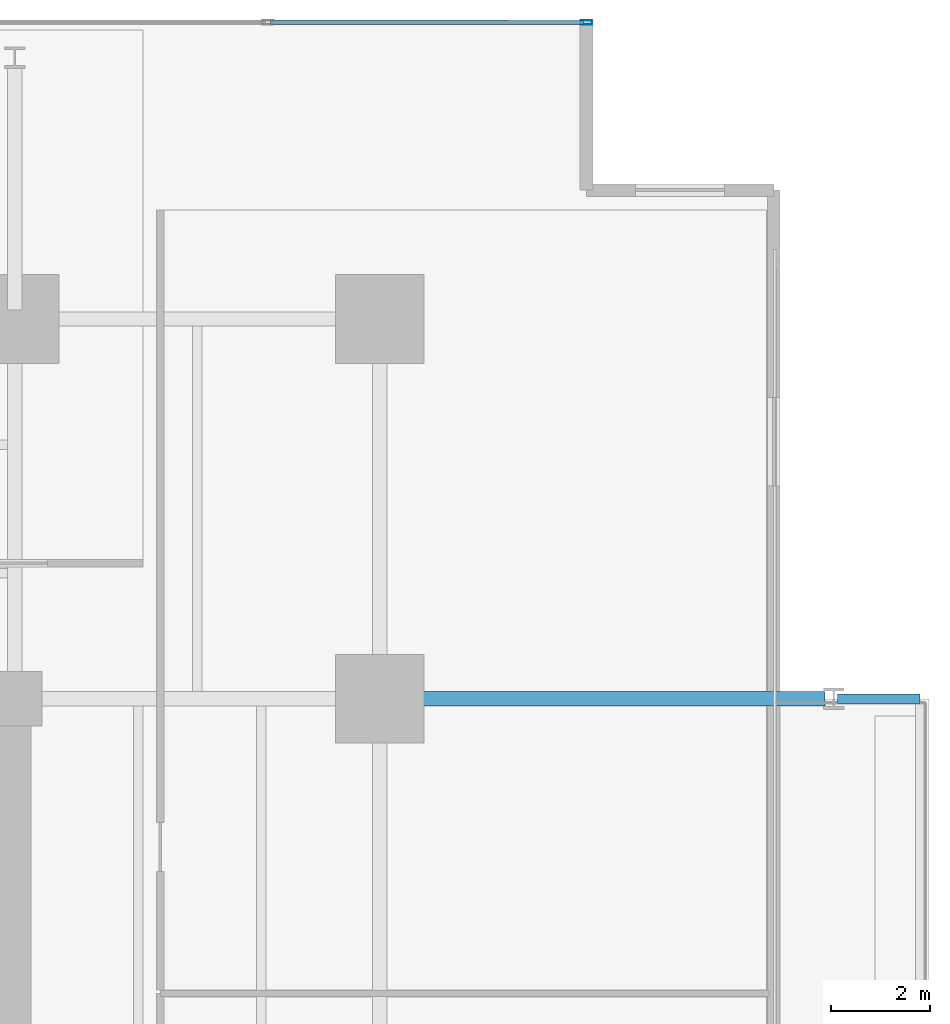
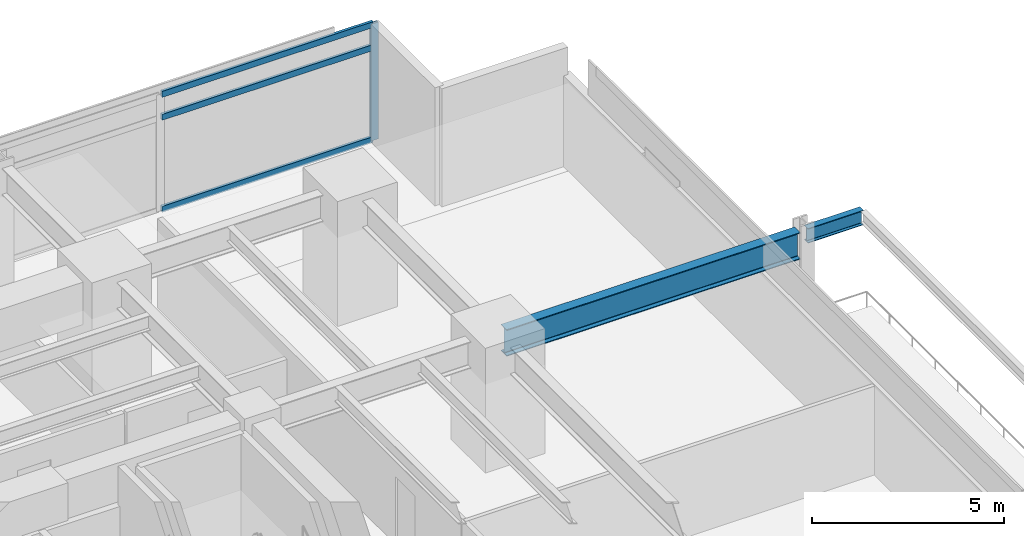
# One storey, part 14 of 24: 4 members, 2 beams, 1 element without a shape of its own.
"""IFC4 building model written with IfcOpenShell, lengths in metres."""

from ifc_helpers import new_model, si_unit, direction, frame, origin, origin_2d, place, context, subcontext, project, spatial, hollow_rectangle, i_section, extrude, material, material_profile, profile_set, type_object, element, aggregate, save


model = new_model("IFC4")

# Units and contexts
model_context = context("Model", 3, precision=1e-05, world=origin(), true_north=direction((0.0, 1.0)))
body_context = subcontext(model_context, "Body", "Model", "MODEL_VIEW")
ifc_project = project(units=[si_unit("LENGTHUNIT", "METRE"), si_unit("AREAUNIT", "SQUARE_METRE"), si_unit("VOLUMEUNIT", "CUBIC_METRE"), si_unit("PLANEANGLEUNIT", "RADIAN"), si_unit("MASSUNIT", "GRAM", prefix="KILO")], contexts=[model_context])

# Site, building, storey
site_placement = place(None, origin())
site = spatial("IfcSite", under=ifc_project, at=site_placement, CompositionType="ELEMENT")
building_placement = place(site_placement, origin())
building = spatial("IfcBuilding", under=site, at=building_placement, Name="Kovane Verandah Tower", CompositionType="ELEMENT")
storey_placement = place(building_placement, frame((0.0, 0.0, 95.60009765625)))
storey = spatial("IfcBuildingStorey", under=building, at=storey_placement, Name="L22", CompositionType="ELEMENT", Elevation=95.60009765625)

# Beam
ifc_material_1 = material(Name="Steel S355", Category="steel")
ifc_material_profile_1 = material_profile(ifc_material_1, i_section(OverallWidth=0.293701171875, OverallDepth=0.850830078125, WebThickness=0.01611328125, FlangeThickness=0.02685546875, FilletRadius=0.017822265625, at=origin_2d()), Name="UB838x292x226")
ifc_profile_set_1 = profile_set([ifc_material_profile_1], Name="Steel S355")
beam_type_1 = type_object("IfcBeamType", Name="BM-UB838x226", PredefinedType="BEAM", material=ifc_profile_set_1)
beam_1_placement = place(storey_placement, frame((58.580078125, 36.5, 3.33447265625), z_axis=(1.0, 0.0, 0.0), x_axis=(0.0, 1.0, 0.0)))
element("IfcBeam", 1, at=beam_1_placement, inside=storey, type_object=beam_type_1, Name="L22 Primary Tower Girder G-VE2", PredefinedType="BEAM", context=body_context, shape_type="SweptSolid", body=[
    extrude(i_section(OverallWidth=0.293701171875, OverallDepth=0.850830078125, WebThickness=0.01611328125, FlangeThickness=0.02685546875, FilletRadius=0.017822265625, at=origin_2d()), origin(), (0.0, 0.0, 1.0), 8.83984375),
])

# Curtain wall, members
ifc_material_2 = material(Name="Champagne Anodised Aluminium Frame with Low-E Clear Laminated Glass", Category="aluminium")
curtain_wall_type = type_object("IfcCurtainWallType", Name="CW-SYS-02-LOW", PredefinedType="NOTDEFINED", material=ifc_material_2)
curtain_wall_placement = place(storey_placement, origin())
curtain_wall = element("IfcCurtainWall", 2, at=curtain_wall_placement, inside=storey, type_object=curtain_wall_type, Name="L22 N Unitised Curtain Wall", PredefinedType="NOTDEFINED")
ifc_material_3 = material(Name="Champagne Anodised Aluminium 6063-T6", Category="aluminium")
ifc_material_profile_2 = material_profile(ifc_material_3, hollow_rectangle(XDim=0.0849609375, YDim=0.22998046875, WallThickness=0.00390625, at=origin_2d()), Name="AL85x230x4")
ifc_profile_set_2 = profile_set([ifc_material_profile_2], Name="Champagne Anodised Aluminium 6063-T6")
member_type_1 = type_object("IfcMemberType", Name="CW-MUL-85x230", PredefinedType="MULLION", material=ifc_profile_set_2)
member_1_placement = place(storey_placement, frame((62.5869140625, 50.2109375, 0.02001953125), z_axis=(0.0, 0.0, 1.0), x_axis=(0.0, 1.0, 0.0)))
member_1 = element("IfcMember", 3, at=member_1_placement, type_object=member_type_1, Name="L22 N Unitised Curtain Wall Mullion 1", PredefinedType="MULLION", context=body_context, shape_type="SweptSolid", body=[
    extrude(hollow_rectangle(XDim=0.0849609375, YDim=0.22998046875, WallThickness=0.00390625, at=origin_2d()), origin(), (0.0, 0.0, 1.0), 3.719970703125),
])
ifc_material_profile_3 = material_profile(ifc_material_3, hollow_rectangle(XDim=0.0849609375, YDim=0.18994140625, WallThickness=0.00390625, at=origin_2d()), Name="AL85x190x4")
ifc_profile_set_3 = profile_set([ifc_material_profile_3], Name="Champagne Anodised Aluminium 6063-T6")
member_type_2 = type_object("IfcMemberType", Name="CW-TRN-85x190", PredefinedType="USERDEFINED", material=ifc_profile_set_3)
member_2_placement = place(storey_placement, frame((62.537109375, 50.2109375, 0.0498046875), z_axis=(-1.0, 0.0, 0.0), x_axis=(0.0, -1.0, 0.0)))
member_2 = element("IfcMember", 4, at=member_2_placement, type_object=member_type_2, Name="L22 N Unitised Curtain Wall Transom TB Bay 1", ObjectType="TRANSOM", PredefinedType="USERDEFINED", context=body_context, shape_type="SweptSolid", body=[
    extrude(hollow_rectangle(XDim=0.0849609375, YDim=0.18994140625, WallThickness=0.00390625, at=origin_2d()), origin(), (0.0, 0.0, 1.0), 6.353515625),
])
member_3_placement = place(storey_placement, frame((62.537109375, 50.2109375, 2.97998046875), z_axis=(-1.0, 0.0, 0.0), x_axis=(0.0, -1.0, 0.0)))
member_3 = element("IfcMember", 5, at=member_3_placement, type_object=member_type_2, Name="L22 N Unitised Curtain Wall Transom TM Bay 1", ObjectType="TRANSOM", PredefinedType="USERDEFINED", context=body_context, shape_type="SweptSolid", body=[
    extrude(hollow_rectangle(XDim=0.0849609375, YDim=0.18994140625, WallThickness=0.00390625, at=origin_2d()), origin(), (0.0, 0.0, 1.0), 6.353515625),
])
member_4_placement = place(storey_placement, frame((62.537109375, 50.2109375, 3.7099609375), z_axis=(-1.0, 0.0, 0.0), x_axis=(0.0, -1.0, 0.0)))
member_4 = element("IfcMember", 6, at=member_4_placement, type_object=member_type_2, Name="L22 N Unitised Curtain Wall Transom TT Bay 1", ObjectType="TRANSOM", PredefinedType="USERDEFINED", context=body_context, shape_type="SweptSolid", body=[
    extrude(hollow_rectangle(XDim=0.0849609375, YDim=0.18994140625, WallThickness=0.00390625, at=origin_2d()), origin(), (0.0, 0.0, 1.0), 6.353515625),
])
aggregate(curtain_wall, [member_1, member_2, member_3, member_4])

# Beam
ifc_material_profile_4 = material_profile(ifc_material_1, i_section(OverallWidth=0.19287109375, OverallDepth=0.46728515625, WebThickness=0.011474609375, FlangeThickness=0.01953125, FilletRadius=0.01025390625, at=origin_2d()), Name="UB457x191x98")
ifc_profile_set_4 = profile_set([ifc_material_profile_4], Name="Steel S355")
beam_type_2 = type_object("IfcBeamType", Name="JST-UB457x98", PredefinedType="JOIST", material=ifc_profile_set_4)
beam_2_placement = place(storey_placement, frame((67.679931640625, 36.5, 3.5263671875), z_axis=(1.0, 0.0, 0.0), x_axis=(0.0, 1.0, 0.0)))
element("IfcBeam", 7, at=beam_2_placement, inside=storey, type_object=beam_type_2, Name="L22 East Planter Girder 2", PredefinedType="JOIST", context=body_context, shape_type="SweptSolid", body=[
    extrude(i_section(OverallWidth=0.19287109375, OverallDepth=0.46728515625, WebThickness=0.011474609375, FlangeThickness=0.01953125, FilletRadius=0.01025390625, at=origin_2d()), origin(), (0.0, 0.0, 1.0), 1.668701171875),
])

save(model, "model.ifc")
